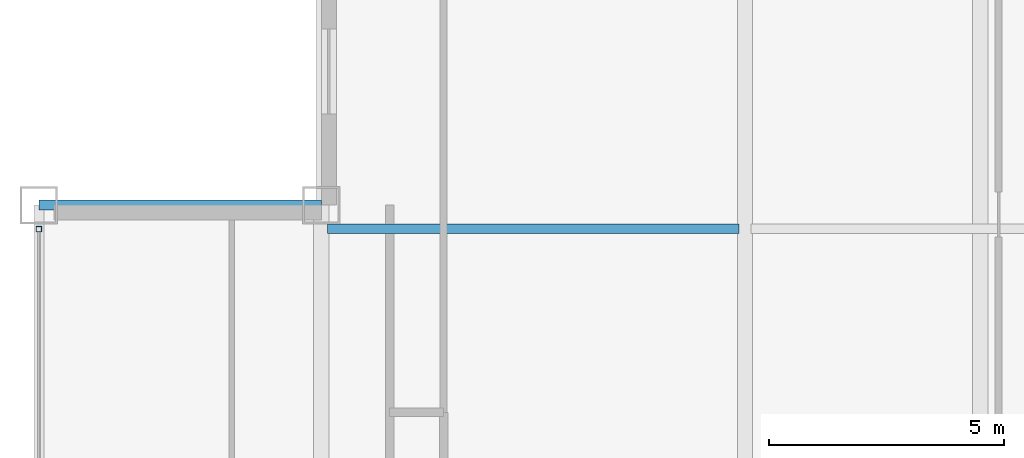
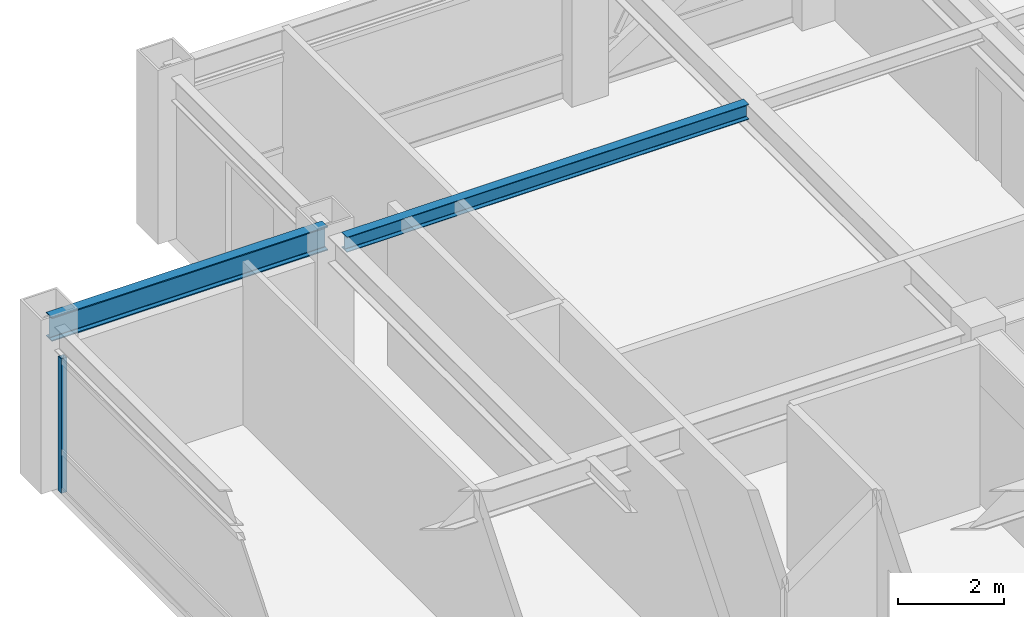
# One storey, part 14 of 28: 2 beams, 1 member, 1 element without a shape of its own.
"""IFC4 building model written with IfcOpenShell, lengths in metres."""

from ifc_helpers import new_model, si_unit, direction, frame, origin, origin_2d, place, context, subcontext, project, spatial, hollow_rectangle, i_section, extrude, source, transform, mapped, material, material_profile, profile_set, type_object, element, aggregate, save


model = new_model("IFC4")

# Units and contexts
model_context = context("Model", 3, precision=1e-05, world=origin(), true_north=direction((0.0, 1.0)))
body_context = subcontext(model_context, "Body", "Model", "MODEL_VIEW")
ifc_project = project(units=[si_unit("LENGTHUNIT", "METRE"), si_unit("AREAUNIT", "SQUARE_METRE"), si_unit("VOLUMEUNIT", "CUBIC_METRE"), si_unit("PLANEANGLEUNIT", "RADIAN"), si_unit("MASSUNIT", "GRAM", prefix="KILO")], contexts=[model_context])

# Site, building, storey
site_placement = place(None, origin())
site = spatial("IfcSite", under=ifc_project, at=site_placement, CompositionType="ELEMENT")
building_placement = place(site_placement, origin())
building = spatial("IfcBuilding", under=site, at=building_placement, Name="Khorayat Bourse Tower", CompositionType="ELEMENT")
storey_placement = place(building_placement, frame((0.0, 0.0, 334.300048828125)))
storey = spatial("IfcBuildingStorey", under=building, at=storey_placement, Name="L79", CompositionType="ELEMENT", Elevation=334.300048828125)

# Beams
ifc_material_1 = material(Name="Steel ASTM A992 Grade 50", Category="steel")
ifc_material_profile_1 = material_profile(ifc_material_1, i_section(OverallWidth=0.214111328125, OverallDepth=0.549072265625, WebThickness=0.0146484375, FlangeThickness=0.023681640625, FilletRadius=0.013916015625, at=origin_2d()), Name="W530X138")
ifc_profile_set_1 = profile_set([ifc_material_profile_1], Name="Steel ASTM A992 Grade 50")
beam_type_1 = type_object("IfcBeamType", Name="BM-SPAN-530", PredefinedType="SPANDREL", material=ifc_profile_set_1)
shared_shape_1 = source(origin(), body_context, "Body", "SweptSolid", [
    extrude(i_section(OverallWidth=0.214111328125, OverallDepth=0.549072265625, WebThickness=0.0146484375, FlangeThickness=0.023681640625, FilletRadius=0.013916015625, at=origin_2d()), origin(), (0.0, 0.0, 1.0), 6.0),
])
beam_1_placement = place(storey_placement, frame((-26.0, 20.0, 3.46533203125), z_axis=(1.0, 0.0, 0.0), x_axis=(0.0, 1.0, 0.0)))
element("IfcBeam", 1, at=beam_1_placement, inside=storey, type_object=beam_type_1, Name="L79 BM-SPAN-530 BM-L79-SPN-047", PredefinedType="SPANDREL", context=body_context, shape_type="MappedRepresentation", body=[
    mapped(shared_shape_1, transform((0.0, 0.0, 0.0), scale=1.0)),
])
ifc_material_profile_2 = material_profile(ifc_material_1, i_section(OverallWidth=0.202880859375, OverallDepth=0.346923828125, WebThickness=0.0078125, FlangeThickness=0.013427734375, FilletRadius=0.010009765625, at=origin_2d()), Name="W360X64")
ifc_profile_set_2 = profile_set([ifc_material_profile_2], Name="Steel ASTM A992 Grade 50")
beam_type_2 = type_object("IfcBeamType", Name="BM-JOIST-360", PredefinedType="JOIST", material=ifc_profile_set_2)
shared_shape_2 = source(origin(), body_context, "Body", "SweptSolid", [
    extrude(i_section(OverallWidth=0.202880859375, OverallDepth=0.346923828125, WebThickness=0.0078125, FlangeThickness=0.013427734375, FilletRadius=0.010009765625, at=origin_2d()), origin(), (0.0, 0.0, 1.0), 8.740234375),
])
beam_2_placement = place(storey_placement, frame((-19.8701171875, 19.5, 3.56640625), z_axis=(1.0, 0.0, 0.0), x_axis=(0.0, 1.0, 0.0)))
element("IfcBeam", 2, at=beam_2_placement, inside=storey, type_object=beam_type_2, Name="L79 BM-JOIST-360 BM-L79-JSTX-083", PredefinedType="JOIST", context=body_context, shape_type="MappedRepresentation", body=[
    mapped(shared_shape_2, transform((0.0, 0.0, 0.0), scale=1.0)),
])

# Curtain wall, member
ifc_material_2 = material(Name="Aluminium EN AW-6063 T6", Category="aluminium")
curtain_wall_type = type_object("IfcCurtainWallType", Name="CW-SYS-04", PredefinedType="NOTDEFINED", material=ifc_material_2)
curtain_wall_placement = place(storey_placement, origin())
curtain_wall = element("IfcCurtainWall", 3, at=curtain_wall_placement, inside=storey, type_object=curtain_wall_type, Name="L79 Curtain Wall CW-L79-W1", PredefinedType="NOTDEFINED")
ifc_material_profile_3 = material_profile(ifc_material_2, hollow_rectangle(XDim=0.1201171875, YDim=0.1201171875, WallThickness=0.0048828125, at=origin_2d()), Name="ALU 120x120x5")
ifc_profile_set_3 = profile_set([ifc_material_profile_3], Name="Aluminium EN AW-6063 T6")
member_type = type_object("IfcMemberType", Name="CWM-VERT-120", PredefinedType="MULLION", material=ifc_profile_set_3)
shared_shape_3 = source(origin(), body_context, "Body", "SweptSolid", [
    extrude(hollow_rectangle(XDim=0.1201171875, YDim=0.1201171875, WallThickness=0.0048828125, at=origin_2d()), origin(), (0.0, 0.0, 1.0), 3.08984375),
])
member_placement = place(storey_placement, frame((-26.0, 19.489990234375, 0.0), z_axis=(0.0, 0.0, 1.0), x_axis=(-1.0, 0.0, 0.0)))
member = element("IfcMember", 4, at=member_placement, type_object=member_type, Name="CW-L79-W1 Vertical Mullion 3", PredefinedType="MULLION", context=body_context, shape_type="MappedRepresentation", body=[
    mapped(shared_shape_3, transform((0.0, 0.0, 0.0), scale=1.0)),
])
aggregate(curtain_wall, [member])

save(model, "model.ifc")
